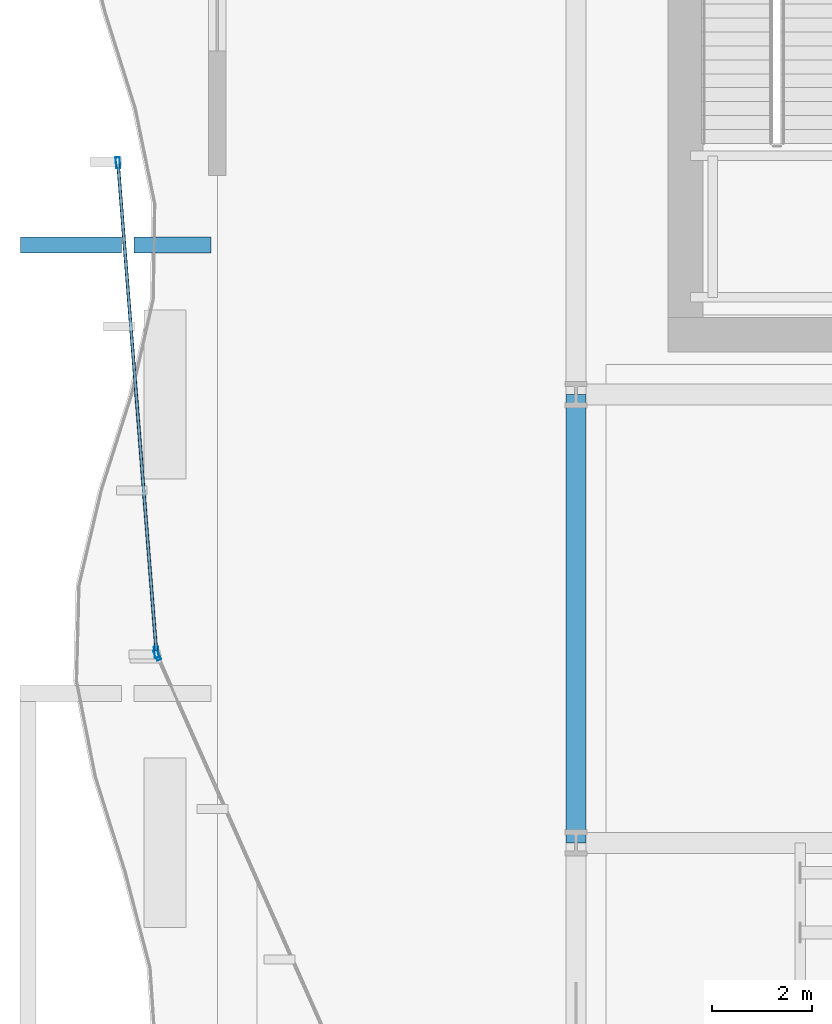
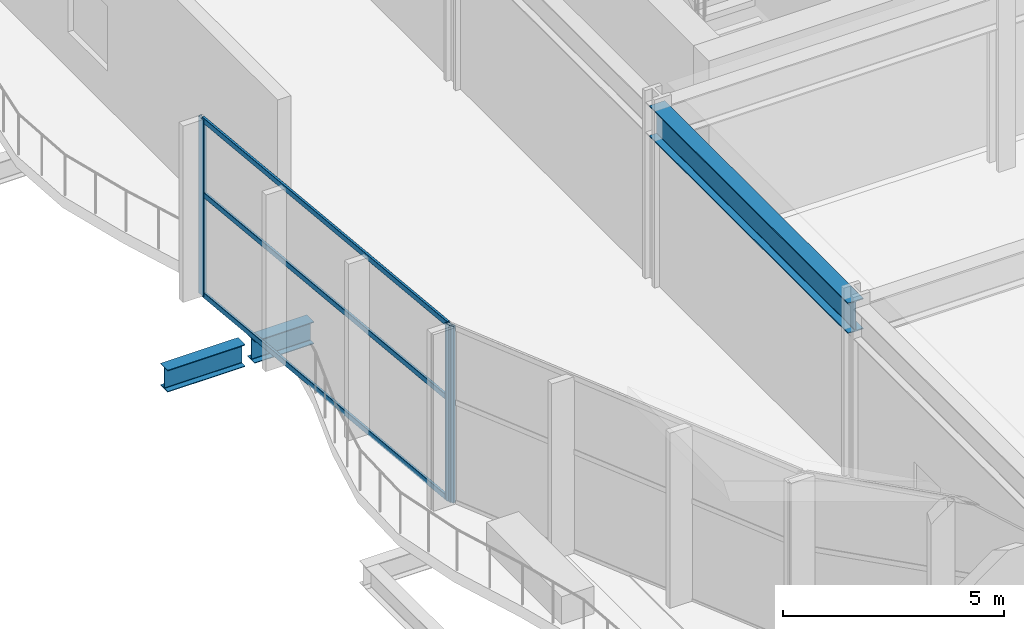
# One storey, part 6 of 33: 6 members, 3 beams, 2 elements without a shape of their own.
"""IFC4 building model written with IfcOpenShell, lengths in metres."""

from ifc_helpers import new_model, si_unit, direction, frame, origin, origin_2d, place, context, subcontext, project, spatial, hollow_rectangle, i_section, extrude, material, layer, layer_set, material_profile, profile_set, type_object, element, aggregate, save


model = new_model("IFC4")

# Units and contexts
model_context = context("Model", 3, precision=1e-05, world=origin(), true_north=direction((0.0, 1.0)))
body_context = subcontext(model_context, "Body", "Model", "MODEL_VIEW")
ifc_project = project(units=[si_unit("LENGTHUNIT", "METRE"), si_unit("AREAUNIT", "SQUARE_METRE"), si_unit("VOLUMEUNIT", "CUBIC_METRE"), si_unit("PLANEANGLEUNIT", "RADIAN"), si_unit("MASSUNIT", "GRAM", prefix="KILO")], contexts=[model_context])

# Site, building, storey
site_placement = place(None, origin())
site = spatial("IfcSite", under=ifc_project, at=site_placement, CompositionType="ELEMENT")
building_placement = place(site_placement, origin())
building = spatial("IfcBuilding", under=site, at=building_placement, Name="Solvaryn Broadcast Tower", CompositionType="ELEMENT")
storey_placement = place(building_placement, frame((0.0, 0.0, 5.800048828125)))
storey = spatial("IfcBuildingStorey", under=building, at=storey_placement, Name="L01", CompositionType="ELEMENT", Elevation=5.800048828125)

# Beams
ifc_material_1 = material(Name="Steel ASTM A992 Grade 50", Category="steel")
ifc_material_profile_1 = material_profile(ifc_material_1, i_section(OverallWidth=0.323974609375, OverallDepth=0.611083984375, WebThickness=0.0126953125, FlangeThickness=0.01904296875, FilletRadius=0.014892578125, at=origin_2d()))
ifc_profile_set_1 = profile_set([ifc_material_profile_1], Name="Steel ASTM A992 Grade 50")
beam_type_1 = type_object("IfcBeamType", Name="BM-B1-W24X104", PredefinedType="BEAM", material=ifc_profile_set_1)
beam_1_placement = place(storey_placement, frame((1.675048828125, 30.0, -0.62548828125), z_axis=(-1.0, 0.0, 0.0), x_axis=(0.0, -1.0, 0.0)))
element("IfcBeam", 1, at=beam_1_placement, inside=storey, type_object=beam_type_1, Name="L01 West Terrace Back-Span Beam Y30", PredefinedType="BEAM", context=body_context, shape_type="SweptSolid", body=[
    extrude(i_section(OverallWidth=0.323974609375, OverallDepth=0.611083984375, WebThickness=0.0126953125, FlangeThickness=0.01904296875, FilletRadius=0.014892578125, at=origin_2d()), origin(), (0.0, 0.0, 1.0), 1.550048828125),
])
ifc_material_2 = material(Name="Steel ASTM A992 Grade 50", Category="steel")
ifc_material_profile_2 = material_profile(ifc_material_2, i_section(OverallWidth=0.323974609375, OverallDepth=0.611083984375, WebThickness=0.0126953125, FlangeThickness=0.01904296875, FilletRadius=0.014892578125, at=origin_2d()))
ifc_profile_set_2 = profile_set([ifc_material_profile_2], Name="Steel ASTM A992 Grade 50")
beam_type_2 = type_object("IfcBeamType", Name="BM-CANT-TER", PredefinedType="BEAM", material=ifc_profile_set_2)
beam_2_placement = place(storey_placement, frame((-0.125, 30.0, -0.62548828125), z_axis=(-1.0, 0.0, 0.0), x_axis=(0.0, -1.0, 0.0)))
element("IfcBeam", 2, at=beam_2_placement, inside=storey, type_object=beam_type_2, Name="L01 West Terrace Cantilever Beam Y30", PredefinedType="BEAM", context=body_context, shape_type="SweptSolid", body=[
    extrude(i_section(OverallWidth=0.323974609375, OverallDepth=0.611083984375, WebThickness=0.0126953125, FlangeThickness=0.01904296875, FilletRadius=0.014892578125, at=origin_2d()), origin(), (0.0, 0.0, 1.0), 2.02490234375),
])
ifc_material_3 = material(Name="Steel ASTM A992 Grade 50", Category="steel")
ifc_material_profile_3 = material_profile(ifc_material_3, i_section(OverallWidth=0.39990234375, OverallDepth=0.85498046875, WebThickness=0.018310546875, FlangeThickness=0.029296875, FilletRadius=0.02001953125, at=origin_2d()))
ifc_profile_set_3 = profile_set([ifc_material_profile_3], Name="Steel ASTM A992 Grade 50")
beam_type_3 = type_object("IfcBeamType", Name="BM-G3-W33X201", PredefinedType="BEAM", material=ifc_profile_set_3)
beam_3_placement = place(storey_placement, frame((9.0, 18.0, 4.452392578125), z_axis=(0.0, 1.0, 0.0), x_axis=(-1.0, 0.0, 0.0)))
element("IfcBeam", 3, at=beam_3_placement, inside=storey, type_object=beam_type_3, Name="L01 Primary Beam Y (18-27 @ X=9)", PredefinedType="BEAM", context=body_context, shape_type="SweptSolid", body=[
    extrude(i_section(OverallWidth=0.39990234375, OverallDepth=0.85498046875, WebThickness=0.018310546875, FlangeThickness=0.029296875, FilletRadius=0.02001953125, at=origin_2d()), origin(), (0.0, 0.0, 1.0), 9.0),
])

# Curtain wall, members
ifc_material_4 = material(Name="Aluminium and Terracotta Unitised Curtain Wall", Category="masonry")
ifc_layer = layer(ifc_material_4, 0.219970703125)
ifc_layer_set = layer_set([ifc_layer], Name="CW-SYS1-PODIUM")
curtain_wall_type = type_object("IfcCurtainWallType", Name="CW-SYS1-PODIUM", PredefinedType="NOTDEFINED", material=ifc_layer_set)
curtain_wall_1_placement = place(storey_placement, origin())
curtain_wall_1 = element("IfcCurtainWall", 4, at=curtain_wall_1_placement, inside=storey, type_object=curtain_wall_type, Name="L01 Podium Curtain Wall DC1", PredefinedType="NOTDEFINED")
ifc_material_5 = material(Name="Anodised Aluminium 6063-T6", Category="aluminium")
ifc_material_profile_4 = material_profile(ifc_material_5, hollow_rectangle(XDim=0.0849609375, YDim=0.219970703125, WallThickness=0.0048828125, InnerFilletRadius=0.0048828125, OuterFilletRadius=0.010009765625, at=origin_2d()))
ifc_profile_set_4 = profile_set([ifc_material_profile_4], Name="Anodised Aluminium 6063-T6")
member_type_1 = type_object("IfcMemberType", Name="CW-MUL-220", PredefinedType="MULLION", material=ifc_profile_set_4)
member_1_placement = place(storey_placement, frame((-0.194580078125, 31.654052734375, 0.0), z_axis=(0.0, 0.0, 1.0), x_axis=(0.996934678197, 0.078238401114, 0.0)))
member_1 = element("IfcMember", 5, at=member_1_placement, type_object=member_type_1, Name="CWS1 mullion 1", PredefinedType="MULLION", context=body_context, shape_type="SweptSolid", body=[
    extrude(hollow_rectangle(XDim=0.0849609375, YDim=0.219970703125, WallThickness=0.0048828125, InnerFilletRadius=0.0048828125, OuterFilletRadius=0.010009765625, at=origin_2d()), origin(), (0.0, 0.0, 1.0), 4.8798828125),
])
member_2_placement = place(storey_placement, frame((0.57666015625, 21.825927734375, 0.0), z_axis=(0.0, 0.0, 1.0), x_axis=(0.996934678197, 0.078238401114, 0.0)))
member_2 = element("IfcMember", 6, at=member_2_placement, type_object=member_type_1, Name="CWS1 mullion 2", PredefinedType="MULLION", context=body_context, shape_type="SweptSolid", body=[
    extrude(hollow_rectangle(XDim=0.0849609375, YDim=0.219970703125, WallThickness=0.0048828125, InnerFilletRadius=0.0048828125, OuterFilletRadius=0.010009765625, at=origin_2d()), origin(), (0.0, 0.0, 1.0), 4.8798828125),
])

# Curtain wall, member
curtain_wall_2_placement = place(storey_placement, origin())
curtain_wall_2 = element("IfcCurtainWall", 7, at=curtain_wall_2_placement, inside=storey, type_object=curtain_wall_type, Name="L01 Podium Curtain Wall DC2", PredefinedType="NOTDEFINED")
member_3_placement = place(storey_placement, frame((0.591064453125, 21.7685546875, 0.0), z_axis=(0.0, 0.0, 1.0), x_axis=(0.913848967278, 0.406054263621, 0.0)))
member_3 = element("IfcMember", 8, at=member_3_placement, type_object=member_type_1, Name="CWS1 mullion 1", PredefinedType="MULLION", context=body_context, shape_type="SweptSolid", body=[
    extrude(hollow_rectangle(XDim=0.0849609375, YDim=0.219970703125, WallThickness=0.0048828125, InnerFilletRadius=0.0048828125, OuterFilletRadius=0.010009765625, at=origin_2d()), origin(), (0.0, 0.0, 1.0), 4.8798828125),
])
aggregate(curtain_wall_2, [member_3])

# Member
ifc_material_6 = material(Name="Anodised Aluminium 6063-T6", Category="aluminium")
ifc_material_profile_5 = material_profile(ifc_material_6, hollow_rectangle(XDim=0.06494140625, YDim=0.14990234375, WallThickness=0.00390625, InnerFilletRadius=0.00390625, OuterFilletRadius=0.008056640625, at=origin_2d()))
ifc_profile_set_5 = profile_set([ifc_material_profile_5], Name="Anodised Aluminium 6063-T6")
member_type_2 = type_object("IfcMemberType", Name="CW-TRN-150", PredefinedType="USERDEFINED", material=ifc_profile_set_5)
member_4_placement = place(storey_placement, frame((-0.1923828125, 31.624267578125, 0.030029296875), z_axis=(0.078235916768, -0.996934873162, 0.0), x_axis=(0.996934873162, 0.078235916768, 0.0)))
member_4 = element("IfcMember", 9, at=member_4_placement, type_object=member_type_2, Name="CWS1 transom 1.1", ObjectType="TRANSOM", PredefinedType="USERDEFINED", context=body_context, shape_type="SweptSolid", body=[
    extrude(hollow_rectangle(XDim=0.06494140625, YDim=0.14990234375, WallThickness=0.00390625, InnerFilletRadius=0.00390625, OuterFilletRadius=0.008056640625, at=origin_2d()), origin(), (0.0, 0.0, 1.0), 9.798583984375),
])

member_5_placement = place(storey_placement, frame((-0.1923828125, 31.624267578125, 2.800048828125), z_axis=(0.078235916768, -0.996934873162, 0.0), x_axis=(0.996934873162, 0.078235916768, 0.0)))
member_5 = element("IfcMember", 10, at=member_5_placement, type_object=member_type_2, Name="CWS1 transom 1.2", ObjectType="TRANSOM", PredefinedType="USERDEFINED", context=body_context, shape_type="SweptSolid", body=[
    extrude(hollow_rectangle(XDim=0.06494140625, YDim=0.14990234375, WallThickness=0.00390625, InnerFilletRadius=0.00390625, OuterFilletRadius=0.008056640625, at=origin_2d()), origin(), (0.0, 0.0, 1.0), 9.798583984375),
])

member_6_placement = place(storey_placement, frame((-0.1923828125, 31.624267578125, 4.849853515625), z_axis=(0.078235916768, -0.996934873162, 0.0), x_axis=(0.996934873162, 0.078235916768, 0.0)))
member_6 = element("IfcMember", 11, at=member_6_placement, type_object=member_type_2, Name="CWS1 transom 1.3", ObjectType="TRANSOM", PredefinedType="USERDEFINED", context=body_context, shape_type="SweptSolid", body=[
    extrude(hollow_rectangle(XDim=0.06494140625, YDim=0.14990234375, WallThickness=0.00390625, InnerFilletRadius=0.00390625, OuterFilletRadius=0.008056640625, at=origin_2d()), origin(), (0.0, 0.0, 1.0), 9.798583984375),
])

aggregate(curtain_wall_1, [member_1, member_2, member_4, member_5, member_6])

save(model, "model.ifc")
